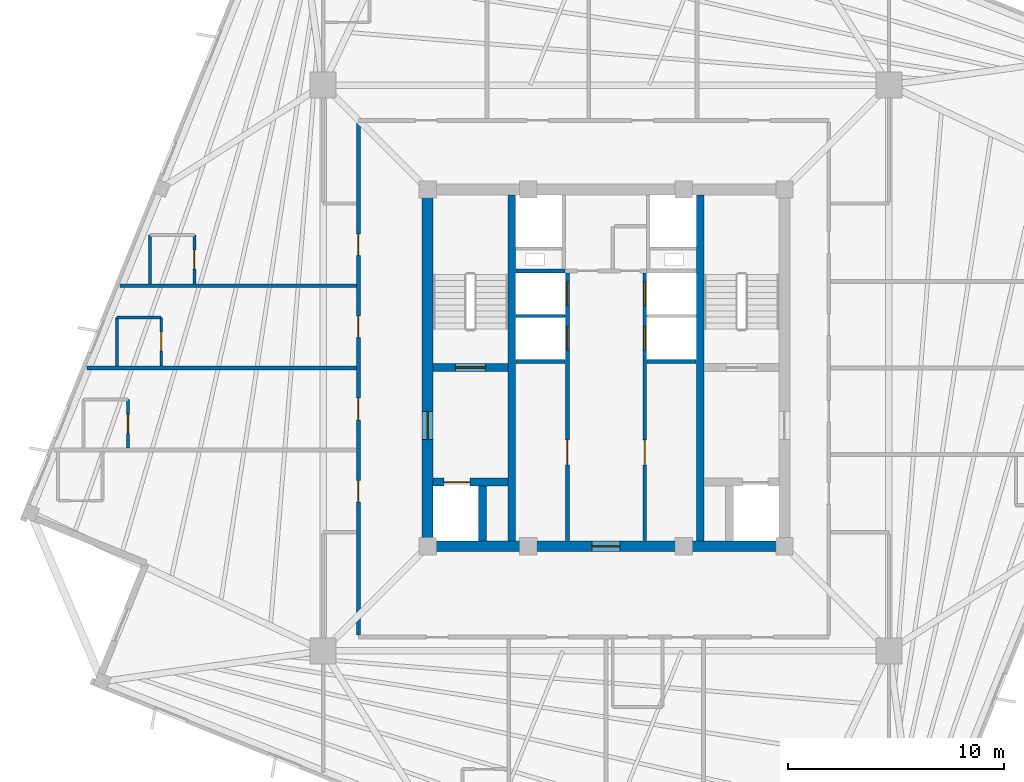
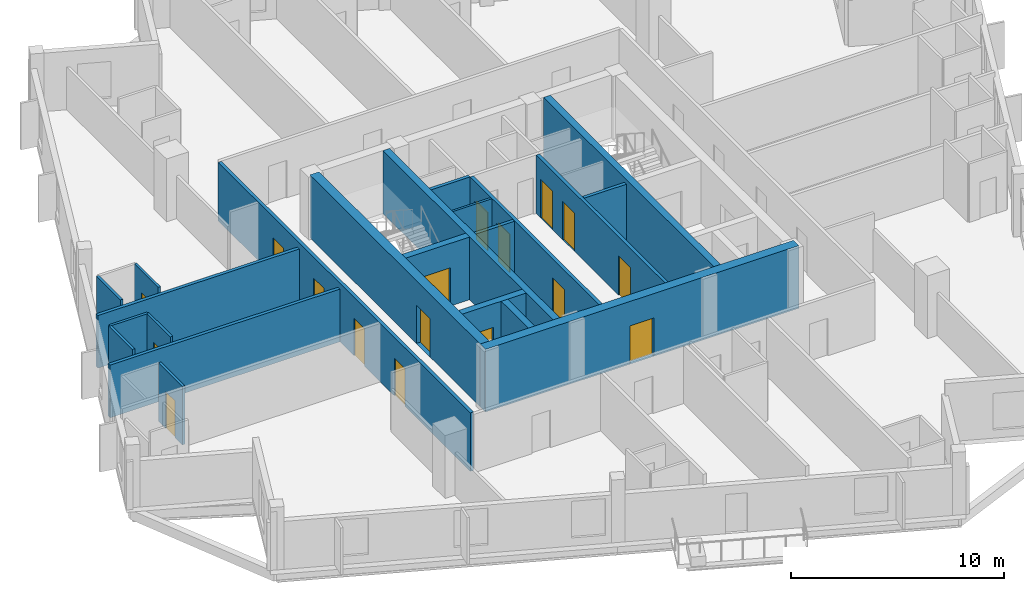
# One storey, part 3 of 9: 22 walls, 17 doors, 17 openings.
"""IFC4 building model written with IfcOpenShell, lengths in metres."""

from ifc_helpers import new_model, si_unit, direction, frame, frame_2d, origin, place, context, subcontext, project, spatial, rectangle, extrude, source, transform, mapped, material, layer, layer_set, type_object, element, fill, save


model = new_model("IFC4")

# Units and contexts
model_context = context("Model", 3, precision=1e-05, world=origin(), true_north=direction((0.0, 1.0)))
body_context = subcontext(model_context, "Body", "Model", "MODEL_VIEW")
ifc_project = project(units=[si_unit("LENGTHUNIT", "METRE"), si_unit("AREAUNIT", "SQUARE_METRE"), si_unit("VOLUMEUNIT", "CUBIC_METRE"), si_unit("PLANEANGLEUNIT", "RADIAN"), si_unit("MASSUNIT", "GRAM", prefix="KILO"), si_unit("THERMODYNAMICTEMPERATUREUNIT", "KELVIN")], contexts=[model_context])

# Site, building, storey
site_placement = place(None, origin())
site = spatial("IfcSite", under=ifc_project, at=site_placement, CompositionType="ELEMENT")
building_placement = place(site_placement, origin())
building = spatial("IfcBuilding", under=site, at=building_placement, Name="Kosmvard Interchange Tower", CompositionType="ELEMENT")
storey_placement = place(building_placement, frame((0.0, 0.0, 276.0)))
storey = spatial("IfcBuildingStorey", under=building, at=storey_placement, Name="L67", CompositionType="ELEMENT", Elevation=276.0)

# Wall, openings, doors
ifc_material_1 = material(Name="Fire-rated gypsum partition system")
ifc_layer_1 = layer(ifc_material_1, 0.179931640625, Name="Fire-rated gypsum partition system")
ifc_layer_set_1 = layer_set([ifc_layer_1], Name="Fire-rated gypsum partition system")
wall_type_1 = type_object("IfcWallType", Name="Corridor & Hotel Compartment Partition 180", PredefinedType="PARTITIONING", material=ifc_layer_set_1)
wall_1_placement = place(storey_placement, frame((-1.7900390625, -7.97998046875, 0.0), z_axis=(0.0, 0.0, 1.0), x_axis=(0.0, 1.0, 0.0)))
wall_1 = element("IfcWall", 1, at=wall_1_placement, inside=storey, type_object=wall_type_1, Name="L67 West Lift Bank Front Wall", PredefinedType="PARTITIONING", context=body_context, shape_type="SweptSolid", body=[
    extrude(rectangle(XDim=12.3798828125, YDim=0.179931640625, at=frame_2d((6.18994140625, 0.0))), origin(), (0.0, 0.0, 1.0), 3.35009765625),
])
opening_1_placement = place(wall_1_placement, frame((8.800048828125, 0.0, 0.0)))
opening_1 = element("IfcOpeningElement", 2, at=opening_1_placement, cuts=wall_1, Name="Opening LD-PL-H1-L67", PredefinedType="OPENING", context=body_context, shape_type="SweptSolid", body=[
    extrude(rectangle(XDim=1.10009765625, YDim=2.199951171875, at=frame_2d((0.550048828125, 1.10009765625))), frame((0.0, 0.10009765625, 0.0), z_axis=(0.0, -1.0, 0.0), x_axis=(1.0, 0.0, 0.0)), (0.0, 0.0, 1.0), 0.199951171875),
])
opening_2_placement = place(wall_1_placement, frame((10.860107421875, 0.0, 0.0)))
opening_2 = element("IfcOpeningElement", 3, at=opening_2_placement, cuts=wall_1, Name="Opening LD-PL-H2-L67", PredefinedType="OPENING", context=body_context, shape_type="SweptSolid", body=[
    extrude(rectangle(XDim=1.10009765625, YDim=2.199951171875, at=frame_2d((0.550048828125, 1.10009765625))), frame((0.0, 0.10009765625, 0.0), z_axis=(0.0, -1.0, 0.0), x_axis=(1.0, 0.0, 0.0)), (0.0, 0.0, 1.0), 0.199951171875),
])
opening_3_placement = place(wall_1_placement, frame((3.5, 0.0, 0.0)))
opening_3 = element("IfcOpeningElement", 4, at=opening_3_placement, cuts=wall_1, Name="Opening L67-CD1", PredefinedType="OPENING", context=body_context, shape_type="SweptSolid", body=[
    extrude(rectangle(XDim=1.14990234375, YDim=2.25, at=frame_2d((0.574951171875, 1.125))), frame((0.0, 0.10009765625, 0.0), z_axis=(0.0, -1.0, 0.0), x_axis=(1.0, 0.0, 0.0)), (0.0, 0.0, 1.0), 0.199951171875),
])
ifc_material_2 = material(Name="Painted fire-rated steel leaf", Category="steel")
door_type_1 = type_object("IfcDoorType", Name="Plant & Riser Fire Door 1150x2250 EI60", OperationType="NOTDEFINED", PredefinedType="DOOR", material=ifc_material_2)
shared_shape_1 = source(origin(), body_context, "Body", "SweptSolid", [
    extrude(rectangle(XDim=1.14990234375, YDim=2.25, at=frame_2d((0.574951171875, 1.125))), frame((0.0, 0.02490234375, 0.0), z_axis=(0.0, -1.0, 0.0), x_axis=(1.0, 0.0, 0.0)), (0.0, 0.0, 1.0), 0.050048828125),
])
door_1_placement = place(opening_3_placement, origin())
door_1 = element("IfcDoor", 5, at=door_1_placement, inside=storey, type_object=door_type_1, Name="L67 Core Facility Store Door", OperationType="SINGLE_SWING_LEFT", OverallHeight=2.25, OverallWidth=1.14990234375, PredefinedType="DOOR", context=body_context, shape_type="MappedRepresentation", body=[
    mapped(shared_shape_1, transform((0.0, 0.0, 0.0), scale=1.0)),
])
fill(opening_3, door_1)
ifc_material_3 = material(Name="Brushed stainless steel sliding leaf", Category="steel")
door_type_2 = type_object("IfcDoorType", Name="Passenger Lift Sliding Landing Door 1100x2200 EI60", OperationType="DOUBLE_DOOR_SLIDING", PredefinedType="DOOR", material=ifc_material_3)
shared_shape_2 = source(origin(), body_context, "Body", "SweptSolid", [
    extrude(rectangle(XDim=1.10009765625, YDim=2.199951171875, at=frame_2d((0.550048828125, 1.10009765625))), frame((0.0, 0.02490234375, 0.0), z_axis=(0.0, -1.0, 0.0), x_axis=(1.0, 0.0, 0.0)), (0.0, 0.0, 1.0), 0.050048828125),
])
door_2_placement = place(opening_1_placement, frame((1.10009765625, 0.0, 0.0), z_axis=(0.0, 0.0, 1.0), x_axis=(-1.0, 0.0, 0.0)))
door_2 = element("IfcDoor", 6, at=door_2_placement, inside=storey, type_object=door_type_2, Name="Lift PL-H1 Landing Door L67", OperationType="DOUBLE_DOOR_SLIDING", OverallHeight=2.199951171875, OverallWidth=1.10009765625, PredefinedType="DOOR", context=body_context, shape_type="MappedRepresentation", body=[
    mapped(shared_shape_2, transform((0.0, 0.0, 0.0), scale=1.0)),
])
fill(opening_1, door_2)
door_3_placement = place(opening_2_placement, frame((1.10009765625, 0.0, 0.0), z_axis=(0.0, 0.0, 1.0), x_axis=(-1.0, 0.0, 0.0)))
door_3 = element("IfcDoor", 7, at=door_3_placement, inside=storey, type_object=door_type_2, Name="Lift PL-H2 Landing Door L67", OperationType="DOUBLE_DOOR_SLIDING", OverallHeight=2.199951171875, OverallWidth=1.10009765625, PredefinedType="DOOR", context=body_context, shape_type="MappedRepresentation", body=[
    mapped(shared_shape_2, transform((0.0, 0.0, 0.0), scale=1.0)),
])
fill(opening_2, door_3)

wall_2_placement = place(storey_placement, frame((1.7900390625, -7.97998046875, 0.0), z_axis=(0.0, 0.0, 1.0), x_axis=(0.0, 1.0, 0.0)))
wall_2 = element("IfcWall", 8, at=wall_2_placement, inside=storey, type_object=wall_type_1, Name="L67 East Lift Bank Front Wall", PredefinedType="PARTITIONING", context=body_context, shape_type="SweptSolid", body=[
    extrude(rectangle(XDim=12.3798828125, YDim=0.179931640625, at=frame_2d((6.18994140625, 0.0))), origin(), (0.0, 0.0, 1.0), 3.35009765625),
])
opening_4_placement = place(wall_2_placement, frame((8.800048828125, 0.0, 0.0)))
opening_4 = element("IfcOpeningElement", 9, at=opening_4_placement, cuts=wall_2, Name="Opening LD-PL-H3-L67", PredefinedType="OPENING", context=body_context, shape_type="SweptSolid", body=[
    extrude(rectangle(XDim=1.10009765625, YDim=2.199951171875, at=frame_2d((0.550048828125, 1.10009765625))), frame((0.0, 0.10009765625, 0.0), z_axis=(0.0, -1.0, 0.0), x_axis=(1.0, 0.0, 0.0)), (0.0, 0.0, 1.0), 0.199951171875),
])
opening_5_placement = place(wall_2_placement, frame((10.860107421875, 0.0, 0.0)))
opening_5 = element("IfcOpeningElement", 10, at=opening_5_placement, cuts=wall_2, Name="Opening LD-PL-H4-L67", PredefinedType="OPENING", context=body_context, shape_type="SweptSolid", body=[
    extrude(rectangle(XDim=1.10009765625, YDim=2.199951171875, at=frame_2d((0.550048828125, 1.10009765625))), frame((0.0, 0.10009765625, 0.0), z_axis=(0.0, -1.0, 0.0), x_axis=(1.0, 0.0, 0.0)), (0.0, 0.0, 1.0), 0.199951171875),
])
opening_6_placement = place(wall_2_placement, frame((3.5, 0.0, 0.0)))
opening_6 = element("IfcOpeningElement", 11, at=opening_6_placement, cuts=wall_2, Name="Opening L67-CD2", PredefinedType="OPENING", context=body_context, shape_type="SweptSolid", body=[
    extrude(rectangle(XDim=1.14990234375, YDim=2.25, at=frame_2d((0.574951171875, 1.125))), frame((0.0, 0.10009765625, 0.0), z_axis=(0.0, -1.0, 0.0), x_axis=(1.0, 0.0, 0.0)), (0.0, 0.0, 1.0), 0.199951171875),
])
door_4_placement = place(opening_6_placement, frame((1.14990234375, 0.0, 0.0), z_axis=(0.0, 0.0, 1.0), x_axis=(-1.0, 0.0, 0.0)))
door_4 = element("IfcDoor", 12, at=door_4_placement, inside=storey, type_object=door_type_1, Name="L67 Core BMS UPS Door", OperationType="SINGLE_SWING_RIGHT", OverallHeight=2.25, OverallWidth=1.14990234375, PredefinedType="DOOR", context=body_context, shape_type="MappedRepresentation", body=[
    mapped(shared_shape_1, transform((0.0, 0.0, 0.0), scale=1.0)),
])
fill(opening_6, door_4)
door_5_placement = place(opening_4_placement, origin())
door_5 = element("IfcDoor", 13, at=door_5_placement, inside=storey, type_object=door_type_2, Name="Lift PL-H3 Landing Door L67", OperationType="DOUBLE_DOOR_SLIDING", OverallHeight=2.199951171875, OverallWidth=1.10009765625, PredefinedType="DOOR", context=body_context, shape_type="MappedRepresentation", body=[
    mapped(shared_shape_2, transform((0.0, 0.0, 0.0), scale=1.0)),
])
fill(opening_4, door_5)
door_6_placement = place(opening_5_placement, origin())
door_6 = element("IfcDoor", 14, at=door_6_placement, inside=storey, type_object=door_type_2, Name="Lift PL-H4 Landing Door L67", OperationType="DOUBLE_DOOR_SLIDING", OverallHeight=2.199951171875, OverallWidth=1.10009765625, PredefinedType="DOOR", context=body_context, shape_type="MappedRepresentation", body=[
    mapped(shared_shape_2, transform((0.0, 0.0, 0.0), scale=1.0)),
])
fill(opening_5, door_6)

wall_3_placement = place(storey_placement, frame((-11.449951171875, -12.35009765625, 0.0), z_axis=(0.0, 0.0, 1.0), x_axis=(0.0, 1.0, 0.0)))
wall_3 = element("IfcWall", 15, at=wall_3_placement, inside=storey, type_object=wall_type_1, Name="L67 Corridor Wall CW", PredefinedType="PARTITIONING", context=body_context, shape_type="SweptSolid", body=[
    extrude(rectangle(XDim=23.7001953125, YDim=0.179931640625, at=frame_2d((11.85009765625, 0.0))), origin(), (0.0, 0.0, 1.0), 3.35009765625),
])
opening_7_placement = place(wall_3_placement, frame((13.75, 0.0, 0.0)))
opening_7 = element("IfcOpeningElement", 16, at=opening_7_placement, cuts=wall_3, Name="Opening L67-D02", PredefinedType="OPENING", context=body_context, shape_type="SweptSolid", body=[
    extrude(rectangle(XDim=1.0, YDim=2.14990234375, at=frame_2d((0.5, 1.074951171875))), frame((0.0, 0.10009765625, 0.0), z_axis=(0.0, -1.0, 0.0), x_axis=(1.0, 0.0, 0.0)), (0.0, 0.0, 1.0), 0.199951171875),
])
opening_8_placement = place(wall_3_placement, frame((17.550048828125, 0.0, 0.0)))
opening_8 = element("IfcOpeningElement", 17, at=opening_8_placement, cuts=wall_3, Name="Opening L67-D04", PredefinedType="OPENING", context=body_context, shape_type="SweptSolid", body=[
    extrude(rectangle(XDim=1.0, YDim=2.14990234375, at=frame_2d((0.5, 1.074951171875))), frame((0.0, 0.10009765625, 0.0), z_axis=(0.0, -1.0, 0.0), x_axis=(1.0, 0.0, 0.0)), (0.0, 0.0, 1.0), 0.199951171875),
])
opening_9_placement = place(wall_3_placement, frame((6.14990234375, 0.0, 0.0)))
opening_9 = element("IfcOpeningElement", 18, at=opening_9_placement, cuts=wall_3, Name="Opening L67-D28", PredefinedType="OPENING", context=body_context, shape_type="SweptSolid", body=[
    extrude(rectangle(XDim=1.0, YDim=2.14990234375, at=frame_2d((0.5, 1.074951171875))), frame((0.0, 0.10009765625, 0.0), z_axis=(0.0, -1.0, 0.0), x_axis=(1.0, 0.0, 0.0)), (0.0, 0.0, 1.0), 0.199951171875),
])
opening_10_placement = place(wall_3_placement, frame((9.949951171875, 0.0, 0.0)))
opening_10 = element("IfcOpeningElement", 19, at=opening_10_placement, cuts=wall_3, Name="Opening L67-D30", PredefinedType="OPENING", context=body_context, shape_type="SweptSolid", body=[
    extrude(rectangle(XDim=1.0, YDim=2.14990234375, at=frame_2d((0.5, 1.074951171875))), frame((0.0, 0.10009765625, 0.0), z_axis=(0.0, -1.0, 0.0), x_axis=(1.0, 0.0, 0.0)), (0.0, 0.0, 1.0), 0.199951171875),
])
ifc_material_4 = material(Name="Engineered oak fire-rated timber", Category="wood")
door_type_3 = type_object("IfcDoorType", Name="Hotel Guestroom Entrance Door 1000x2150 EI60", OperationType="NOTDEFINED", PredefinedType="DOOR", material=ifc_material_4)
shared_shape_3 = source(origin(), body_context, "Body", "SweptSolid", [
    extrude(rectangle(XDim=1.0, YDim=2.14990234375, at=frame_2d((0.5, 1.074951171875))), frame((0.0, 0.02490234375, 0.0), z_axis=(0.0, -1.0, 0.0), x_axis=(1.0, 0.0, 0.0)), (0.0, 0.0, 1.0), 0.050048828125),
])
door_7_placement = place(opening_7_placement, origin())
door_7 = element("IfcDoor", 20, at=door_7_placement, inside=storey, type_object=door_type_3, Name="L67 Hotel Standard Guest Room 1 Door", OperationType="SINGLE_SWING_RIGHT", OverallHeight=2.14990234375, OverallWidth=1.0, PredefinedType="DOOR", context=body_context, shape_type="MappedRepresentation", body=[
    mapped(shared_shape_3, transform((0.0, 0.0, 0.0), scale=1.0)),
])
fill(opening_7, door_7)
door_8_placement = place(opening_8_placement, origin())
door_8 = element("IfcDoor", 21, at=door_8_placement, inside=storey, type_object=door_type_3, Name="L67 Hotel Standard Junior Suite 2 Door", OperationType="SINGLE_SWING_RIGHT", OverallHeight=2.14990234375, OverallWidth=1.0, PredefinedType="DOOR", context=body_context, shape_type="MappedRepresentation", body=[
    mapped(shared_shape_3, transform((0.0, 0.0, 0.0), scale=1.0)),
])
fill(opening_8, door_8)
door_9_placement = place(opening_9_placement, origin())
door_9 = element("IfcDoor", 22, at=door_9_placement, inside=storey, type_object=door_type_3, Name="L67 Hotel Corner Suite 4 Door", OperationType="SINGLE_SWING_RIGHT", OverallHeight=2.14990234375, OverallWidth=1.0, PredefinedType="DOOR", context=body_context, shape_type="MappedRepresentation", body=[
    mapped(shared_shape_3, transform((0.0, 0.0, 0.0), scale=1.0)),
])
fill(opening_9, door_9)
door_10_placement = place(opening_10_placement, origin())
door_10 = element("IfcDoor", 23, at=door_10_placement, inside=storey, type_object=door_type_3, Name="L67 Hotel King Guest Room 10 Door", OperationType="SINGLE_SWING_RIGHT", OverallHeight=2.14990234375, OverallWidth=1.0, PredefinedType="DOOR", context=body_context, shape_type="MappedRepresentation", body=[
    mapped(shared_shape_3, transform((0.0, 0.0, 0.0), scale=1.0)),
])
fill(opening_10, door_10)

# Walls
wall_4_placement = place(storey_placement, frame((-11.544921875, 0.0, 0.0), z_axis=(0.0, 0.0, 1.0), x_axis=(-1.0, 0.0, 0.0)))
element("IfcWall", 24, at=wall_4_placement, inside=storey, type_object=wall_type_1, Name="L67 Room Partition 11.1", PredefinedType="PARTITIONING", context=body_context, shape_type="SweptSolid", body=[
    extrude(rectangle(XDim=12.457763671875, YDim=0.179931640625, at=frame_2d((6.22900390625, 0.0))), origin(), (0.0, 0.0, 1.0), 3.02001953125),
])
wall_5_placement = place(storey_placement, frame((-11.544921875, 3.800048828125, 0.0), z_axis=(0.0, 0.0, 1.0), x_axis=(-1.0, 0.0, 0.0)))
element("IfcWall", 25, at=wall_5_placement, inside=storey, type_object=wall_type_1, Name="L67 Room Partition 12.1", PredefinedType="PARTITIONING", context=body_context, shape_type="SweptSolid", body=[
    extrude(rectangle(XDim=10.922607421875, YDim=0.179931640625, at=frame_2d((5.46142578125, 0.0))), origin(), (0.0, 0.0, 1.0), 3.02001953125),
])
ifc_material_5 = material(Name="Concrete blockwork masonry", Category="masonry")
ifc_layer_2 = layer(ifc_material_5, 0.179931640625, Name="Concrete blockwork masonry")
ifc_layer_set_2 = layer_set([ifc_layer_2], Name="Concrete blockwork masonry")
wall_type_2 = type_object("IfcWallType", Name="Riser & Lift Bank Divider Wall 180", PredefinedType="PARTITIONING", material=ifc_layer_set_2)
for number, where, z_axis, x_axis, name in (
    (26, (-4.169921875, 0.300048828125, 0.0), (0.0, 0.0, 1.0), (1.0, 0.0, 0.0), "L67 West Bank Divider BD2"),
    (27, (1.889892578125, 0.300048828125, 0.0), (0.0, 0.0, 1.0), (1.0, 0.0, 0.0), "L67 East Bank Divider BD2"),
    (28, (-4.169921875, 4.489990234375, 0.0), (0.0, 0.0, 1.0), (1.0, 0.0, 0.0), "L67 West Bank Divider BD3"),
):
    element("IfcWall", number, at=place(storey_placement, frame(where, z_axis=z_axis, x_axis=x_axis)), inside=storey, type_object=wall_type_2, Name=name, PredefinedType="PARTITIONING", context=body_context, shape_type="SweptSolid", body=[
        extrude(rectangle(XDim=2.280029296875, YDim=0.179931640625, at=frame_2d((1.14013671875, 0.0))), origin(), (0.0, 0.0, 1.0), 3.35009765625),
    ])
ifc_material_6 = material(Name="Fire-rated gypsum shaftwall system")
ifc_layer_3 = layer(ifc_material_6, 0.1201171875, Name="Fire-rated gypsum shaftwall system")
ifc_layer_set_3 = layer_set([ifc_layer_3], Name="Fire-rated gypsum shaftwall system")
wall_type_3 = type_object("IfcWallType", Name="Shaft & Riser Fire Partition 120 EI60", PredefinedType="PARTITIONING", material=ifc_layer_set_3)
wall_6_placement = place(storey_placement, frame((-4.159912109375, 2.39990234375, 0.0), z_axis=(0.0, 0.0, 1.0), x_axis=(1.0, 0.0, 0.0)))
element("IfcWall", 29, at=wall_6_placement, inside=storey, type_object=wall_type_3, Name="L67 Shaft Divider PL-H1", PredefinedType="PARTITIONING", context=body_context, shape_type="SweptSolid", body=[
    extrude(rectangle(XDim=2.260009765625, YDim=0.1201171875, at=frame_2d((1.1298828125, 0.0))), origin(), (0.0, 0.0, 1.0), 3.35009765625),
])
ifc_material_7 = material(Name="Concrete C60/75", Category="concrete")
ifc_layer_4 = layer(ifc_material_7, 0.360107421875, Name="Concrete C60/75")
ifc_layer_set_4 = layer_set([ifc_layer_4], Name="Concrete C60/75")
wall_type_4 = type_object("IfcWallType", Name="Stair & Lift Shaft Shear Wall 360 C60/75", PredefinedType="SHEAR", material=ifc_layer_set_4)
for number, where, z_axis, x_axis, name in (
    (30, (-4.360107421875, -8.0, 0.0), (0.0, 0.0, 1.0), (0.0, 1.0, 0.0), "L67 Shaft Shear Wall SW-W"),
    (31, (4.360107421875, -8.0, 0.0), (0.0, 0.0, 1.0), (0.0, 1.0, 0.0), "L67 Shaft Shear Wall SW-E"),
):
    element("IfcWall", number, at=place(storey_placement, frame(where, z_axis=z_axis, x_axis=x_axis)), inside=storey, type_object=wall_type_4, Name=name, PredefinedType="SHEAR", context=body_context, shape_type="SweptSolid", body=[
        extrude(rectangle(XDim=16.0, YDim=0.360107421875, at=frame_2d((8.0, 0.0))), origin(), (0.0, 0.0, 1.0), 3.60009765625),
    ])

# Wall, opening, door
wall_7_placement = place(storey_placement, frame((-8.0, 0.02001953125, 0.0), z_axis=(0.0, 0.0, 1.0), x_axis=(1.0, 0.0, 0.0)))
wall_7 = element("IfcWall", 32, at=wall_7_placement, inside=storey, type_object=wall_type_4, Name="L67 Shaft Shear Wall SW-ST1", PredefinedType="SHEAR", context=body_context, shape_type="SweptSolid", body=[
    extrude(rectangle(XDim=3.4599609375, YDim=0.360107421875, at=frame_2d((1.72998046875, 0.0))), origin(), (0.0, 0.0, 1.0), 3.60009765625),
])
opening_11_placement = place(wall_7_placement, frame((1.030029296875, 0.0, 0.0)))
opening_11 = element("IfcOpeningElement", 33, at=opening_11_placement, cuts=wall_7, Name="Opening L67-SD1", PredefinedType="OPENING", context=body_context, shape_type="SweptSolid", body=[
    extrude(rectangle(XDim=1.39990234375, YDim=2.199951171875, at=frame_2d((0.699951171875, 1.10009765625))), frame((0.0, 0.18994140625, 0.0), z_axis=(0.0, -1.0, 0.0), x_axis=(1.0, 0.0, 0.0)), (0.0, 0.0, 1.0), 0.380126953125),
])
door_type_4 = type_object("IfcDoorType", Name="Protected Stair Door 1400x2200 FD60S", OperationType="NOTDEFINED", PredefinedType="DOOR", material=ifc_material_2)
shared_shape_4 = source(origin(), body_context, "Body", "SweptSolid", [
    extrude(rectangle(XDim=1.39990234375, YDim=2.199951171875, at=frame_2d((0.699951171875, 1.10009765625))), frame((0.0, 0.02490234375, 0.0), z_axis=(0.0, -1.0, 0.0), x_axis=(1.0, 0.0, 0.0)), (0.0, 0.0, 1.0), 0.050048828125),
])
door_11_placement = place(opening_11_placement, origin())
door_11 = element("IfcDoor", 34, at=door_11_placement, inside=storey, type_object=door_type_4, Name="L67 Stair ST-1 Enclosure Door", OperationType="SINGLE_SWING_LEFT", OverallHeight=2.199951171875, OverallWidth=1.39990234375, PredefinedType="DOOR", context=body_context, shape_type="MappedRepresentation", body=[
    mapped(shared_shape_4, transform((0.0, 0.0, 0.0), scale=1.0)),
])
fill(opening_11, door_11)

wall_8_placement = place(storey_placement, frame((-8.0, -5.280029296875, 0.0), z_axis=(0.0, 0.0, 1.0), x_axis=(1.0, 0.0, 0.0)))
wall_8 = element("IfcWall", 35, at=wall_8_placement, inside=storey, type_object=wall_type_4, Name="L67 Shaft Shear Wall SW-FF1", PredefinedType="SHEAR", context=body_context, shape_type="SweptSolid", body=[
    extrude(rectangle(XDim=3.4599609375, YDim=0.360107421875, at=frame_2d((1.72998046875, 0.0))), origin(), (0.0, 0.0, 1.0), 3.60009765625),
])
opening_12_placement = place(wall_8_placement, frame((0.5, 0.0, 0.0)))
opening_12 = element("IfcOpeningElement", 36, at=opening_12_placement, cuts=wall_8, Name="Opening LD-FF-1-L67", PredefinedType="OPENING", context=body_context, shape_type="SweptSolid", body=[
    extrude(rectangle(XDim=1.199951171875, YDim=2.25, at=frame_2d((0.60009765625, 1.125))), frame((0.0, 0.18994140625, 0.0), z_axis=(0.0, -1.0, 0.0), x_axis=(1.0, 0.0, 0.0)), (0.0, 0.0, 1.0), 0.380126953125),
])
door_type_5 = type_object("IfcDoorType", Name="Firefighting Lift Sliding Landing Door 1200x2250 EI120", OperationType="DOUBLE_DOOR_SLIDING", PredefinedType="DOOR", material=ifc_material_3)
shared_shape_5 = source(origin(), body_context, "Body", "SweptSolid", [
    extrude(rectangle(XDim=1.199951171875, YDim=2.25, at=frame_2d((0.60009765625, 1.125))), frame((0.0, 0.02490234375, 0.0), z_axis=(0.0, -1.0, 0.0), x_axis=(1.0, 0.0, 0.0)), (0.0, 0.0, 1.0), 0.050048828125),
])
door_12_placement = place(opening_12_placement, origin())
door_12 = element("IfcDoor", 37, at=door_12_placement, inside=storey, type_object=door_type_5, Name="Lift FF-1 Landing Door L67", OperationType="DOUBLE_DOOR_SLIDING", OverallHeight=2.25, OverallWidth=1.199951171875, PredefinedType="DOOR", context=body_context, shape_type="MappedRepresentation", body=[
    mapped(shared_shape_5, transform((0.0, 0.0, 0.0), scale=1.0)),
])
fill(opening_12, door_12)

# Wall
wall_9_placement = place(storey_placement, frame((-5.7099609375, -8.0, 0.0), z_axis=(0.0, 0.0, 1.0), x_axis=(0.0, 1.0, 0.0)))
element("IfcWall", 38, at=wall_9_placement, inside=storey, type_object=wall_type_4, Name="L67 Shaft Shear Wall SW-SM1", PredefinedType="SHEAR", context=body_context, shape_type="SweptSolid", body=[
    extrude(rectangle(XDim=2.5400390625, YDim=0.360107421875, at=frame_2d((1.27001953125, 0.0))), origin(), (0.0, 0.0, 1.0), 3.60009765625),
])

# Wall, opening, door
ifc_layer_5 = layer(ifc_material_7, 0.5, Name="Concrete C60/75")
ifc_layer_set_5 = layer_set([ifc_layer_5], Name="Concrete C60/75")
wall_type_5 = type_object("IfcWallType", Name="Upper Core Shear Wall 500 C60/75", PredefinedType="SHEAR", material=ifc_layer_set_5)
wall_10_placement = place(storey_placement, frame((-8.5, -8.25, 0.0), z_axis=(0.0, 0.0, 1.0), x_axis=(1.0, 0.0, 0.0)))
wall_10 = element("IfcWall", 39, at=wall_10_placement, inside=storey, type_object=wall_type_5, Name="L67 Core Shear Wall CW-S", PredefinedType="SHEAR", context=body_context, shape_type="SweptSolid", body=[
    extrude(rectangle(XDim=17.0, YDim=0.5, at=frame_2d((8.5, 0.0))), origin(), (0.0, 0.0, 1.0), 3.60009765625),
])
opening_13_placement = place(wall_10_placement, frame((7.85009765625, 0.0, 0.0)))
opening_13 = element("IfcOpeningElement", 40, at=opening_13_placement, cuts=wall_10, Name="Opening L67-LD0", PredefinedType="OPENING", context=body_context, shape_type="SweptSolid", body=[
    extrude(rectangle(XDim=1.300048828125, YDim=2.199951171875, at=frame_2d((0.64990234375, 1.10009765625))), frame((0.0, 0.260009765625, 0.0), z_axis=(0.0, -1.0, 0.0), x_axis=(1.0, 0.0, 0.0)), (0.0, 0.0, 1.0), 0.52001953125),
])
door_type_6 = type_object("IfcDoorType", Name="Firefighting Lobby Door 1300x2200 EI60", OperationType="NOTDEFINED", PredefinedType="DOOR", material=ifc_material_2)
shared_shape_6 = source(origin(), body_context, "Body", "SweptSolid", [
    extrude(rectangle(XDim=1.300048828125, YDim=2.199951171875, at=frame_2d((0.64990234375, 1.10009765625))), frame((0.0, 0.02490234375, 0.0), z_axis=(0.0, -1.0, 0.0), x_axis=(1.0, 0.0, 0.0)), (0.0, 0.0, 1.0), 0.050048828125),
])
door_13_placement = place(opening_13_placement, frame((1.300048828125, 0.0, 0.0), z_axis=(0.0, 0.0, 1.0), x_axis=(-1.0, 0.0, 0.0)))
door_13 = element("IfcDoor", 41, at=door_13_placement, inside=storey, type_object=door_type_6, Name="L67 Passenger Lift Lobby South Door", OperationType="SINGLE_SWING_RIGHT", OverallHeight=2.199951171875, OverallWidth=1.300048828125, PredefinedType="DOOR", context=body_context, shape_type="MappedRepresentation", body=[
    mapped(shared_shape_6, transform((0.0, 0.0, 0.0), scale=1.0)),
])
fill(opening_13, door_13)

wall_11_placement = place(storey_placement, frame((-8.25, -8.0, 0.0), z_axis=(0.0, 0.0, 1.0), x_axis=(0.0, 1.0, 0.0)))
wall_11 = element("IfcWall", 42, at=wall_11_placement, inside=storey, type_object=wall_type_5, Name="L67 Core Shear Wall CW-W", PredefinedType="SHEAR", context=body_context, shape_type="SweptSolid", body=[
    extrude(rectangle(XDim=16.0, YDim=0.5, at=frame_2d((8.0, 0.0))), origin(), (0.0, 0.0, 1.0), 3.60009765625),
])
opening_14_placement = place(wall_11_placement, frame((4.68994140625, 0.0, 0.0)))
opening_14 = element("IfcOpeningElement", 43, at=opening_14_placement, cuts=wall_11, Name="Opening L67-FD1", PredefinedType="OPENING", context=body_context, shape_type="SweptSolid", body=[
    extrude(rectangle(XDim=1.300048828125, YDim=2.199951171875, at=frame_2d((0.64990234375, 1.10009765625))), frame((0.0, 0.260009765625, 0.0), z_axis=(0.0, -1.0, 0.0), x_axis=(1.0, 0.0, 0.0)), (0.0, 0.0, 1.0), 0.52001953125),
])
door_14_placement = place(opening_14_placement, frame((1.300048828125, 0.0, 0.0), z_axis=(0.0, 0.0, 1.0), x_axis=(-1.0, 0.0, 0.0)))
door_14 = element("IfcDoor", 44, at=door_14_placement, inside=storey, type_object=door_type_6, Name="L67 Firefighting Lobby West Door", OperationType="SINGLE_SWING_LEFT", OverallHeight=2.199951171875, OverallWidth=1.300048828125, PredefinedType="DOOR", context=body_context, shape_type="MappedRepresentation", body=[
    mapped(shared_shape_6, transform((0.0, 0.0, 0.0), scale=1.0)),
])
fill(opening_14, door_14)

ifc_material_8 = material(Name="Moisture-resistant gypsum partition")
ifc_layer_6 = layer(ifc_material_8, 0.135009765625, Name="Moisture-resistant gypsum partition")
ifc_layer_set_6 = layer_set([ifc_layer_6], Name="Moisture-resistant gypsum partition")
wall_type_6 = type_object("IfcWallType", Name="Wet Room Moisture-Resistant Partition 135", PredefinedType="PARTITIONING", material=ifc_layer_set_6)
wall_12_placement = place(storey_placement, frame((-20.569580078125, 0.090087890625, 0.0), z_axis=(0.0, 0.0, 1.0), x_axis=(0.0, 1.0, 0.0)))
wall_12 = element("IfcWall", 45, at=wall_12_placement, inside=storey, type_object=wall_type_6, Name="L67 En-Suite Partition HGR1-E", PredefinedType="PARTITIONING", context=body_context, shape_type="SweptSolid", body=[
    extrude(rectangle(XDim=2.25, YDim=0.135009765625, at=frame_2d((1.125, 0.0))), origin(), (0.0, 0.0, 1.0), 3.35009765625),
])
opening_15_placement = place(wall_12_placement, frame((0.68505859375, 0.0, 0.0)))
opening_15 = element("IfcOpeningElement", 46, at=opening_15_placement, cuts=wall_12, Name="Opening L67-ED03", PredefinedType="OPENING", context=body_context, shape_type="SweptSolid", body=[
    extrude(rectangle(XDim=0.8798828125, YDim=2.10009765625, at=frame_2d((0.43994140625, 1.050048828125))), frame((0.0, 0.07763671875, 0.0), z_axis=(0.0, -1.0, 0.0), x_axis=(1.0, 0.0, 0.0)), (0.0, 0.0, 1.0), 0.155029296875),
])
ifc_material_9 = material(Name="Laminated moisture-resistant timber", Category="wood")
door_type_7 = type_object("IfcDoorType", Name="En-Suite & Washroom Door 880x2100", OperationType="NOTDEFINED", PredefinedType="DOOR", material=ifc_material_9)
shared_shape_7 = source(origin(), body_context, "Body", "SweptSolid", [
    extrude(rectangle(XDim=0.8798828125, YDim=2.10009765625, at=frame_2d((0.43994140625, 1.050048828125))), frame((0.0, 0.02490234375, 0.0), z_axis=(0.0, -1.0, 0.0), x_axis=(1.0, 0.0, 0.0)), (0.0, 0.0, 1.0), 0.050048828125),
])
door_15_placement = place(opening_15_placement, origin())
door_15 = element("IfcDoor", 47, at=door_15_placement, inside=storey, type_object=door_type_7, Name="L67 HGR1 En-Suite Door", OperationType="SINGLE_SWING_RIGHT", OverallHeight=2.10009765625, OverallWidth=0.8798828125, PredefinedType="DOOR", context=body_context, shape_type="MappedRepresentation", body=[
    mapped(shared_shape_7, transform((0.0, 0.0, 0.0), scale=1.0)),
])
fill(opening_15, door_15)

# Walls
wall_13_placement = place(storey_placement, frame((-22.619384765625, 2.340087890625, 0.0), z_axis=(0.0, 0.0, 1.0), x_axis=(1.0, 0.0, 0.0)))
element("IfcWall", 48, at=wall_13_placement, inside=storey, type_object=wall_type_6, Name="L67 En-Suite Partition HGR1-N", PredefinedType="PARTITIONING", context=body_context, shape_type="SweptSolid", body=[
    extrude(rectangle(XDim=2.0498046875, YDim=0.135009765625, at=frame_2d((1.02490234375, 0.0))), origin(), (0.0, 0.0, 1.0), 3.35009765625),
])
wall_14_placement = place(storey_placement, frame((-22.619384765625, 0.090087890625, 0.0), z_axis=(0.0, 0.0, 1.0), x_axis=(0.0, 1.0, 0.0)))
element("IfcWall", 49, at=wall_14_placement, inside=storey, type_object=wall_type_6, Name="L67 En-Suite Partition HGR1-W", PredefinedType="PARTITIONING", context=body_context, shape_type="SweptSolid", body=[
    extrude(rectangle(XDim=2.25, YDim=0.135009765625, at=frame_2d((1.125, 0.0))), origin(), (0.0, 0.0, 1.0), 3.35009765625),
])

# Wall, opening, door
wall_15_placement = place(storey_placement, frame((-19.0341796875, 3.889892578125, 0.0), z_axis=(0.0, 0.0, 1.0), x_axis=(0.0, 1.0, 0.0)))
wall_15 = element("IfcWall", 50, at=wall_15_placement, inside=storey, type_object=wall_type_6, Name="L67 En-Suite Partition HGR2-E", PredefinedType="PARTITIONING", context=body_context, shape_type="SweptSolid", body=[
    extrude(rectangle(XDim=2.25, YDim=0.135009765625, at=frame_2d((1.125, 0.0))), origin(), (0.0, 0.0, 1.0), 3.35009765625),
])
opening_16_placement = place(wall_15_placement, frame((0.68505859375, 0.0, 0.0)))
opening_16 = element("IfcOpeningElement", 51, at=opening_16_placement, cuts=wall_15, Name="Opening L67-ED05", PredefinedType="OPENING", context=body_context, shape_type="SweptSolid", body=[
    extrude(rectangle(XDim=0.8798828125, YDim=2.10009765625, at=frame_2d((0.43994140625, 1.050048828125))), frame((0.0, 0.07763671875, 0.0), z_axis=(0.0, -1.0, 0.0), x_axis=(1.0, 0.0, 0.0)), (0.0, 0.0, 1.0), 0.155029296875),
])
door_16_placement = place(opening_16_placement, origin())
door_16 = element("IfcDoor", 52, at=door_16_placement, inside=storey, type_object=door_type_7, Name="L67 HGR2 En-Suite Door", OperationType="SINGLE_SWING_RIGHT", OverallHeight=2.10009765625, OverallWidth=0.8798828125, PredefinedType="DOOR", context=body_context, shape_type="MappedRepresentation", body=[
    mapped(shared_shape_7, transform((0.0, 0.0, 0.0), scale=1.0)),
])
fill(opening_16, door_16)

# Wall
wall_16_placement = place(storey_placement, frame((-21.084228515625, 3.889892578125, 0.0), z_axis=(0.0, 0.0, 1.0), x_axis=(0.0, 1.0, 0.0)))
element("IfcWall", 53, at=wall_16_placement, inside=storey, type_object=wall_type_6, Name="L67 En-Suite Partition HGR2-W", PredefinedType="PARTITIONING", context=body_context, shape_type="SweptSolid", body=[
    extrude(rectangle(XDim=2.25, YDim=0.135009765625, at=frame_2d((1.125, 0.0))), origin(), (0.0, 0.0, 1.0), 3.35009765625),
])

# Wall, opening, door
wall_17_placement = place(storey_placement, frame((-22.104736328125, -3.7099609375, 0.0), z_axis=(0.0, 0.0, 1.0), x_axis=(0.0, 1.0, 0.0)))
wall_17 = element("IfcWall", 54, at=wall_17_placement, inside=storey, type_object=wall_type_6, Name="L67 En-Suite Partition HGR0-E", PredefinedType="PARTITIONING", context=body_context, shape_type="SweptSolid", body=[
    extrude(rectangle(XDim=2.25, YDim=0.135009765625, at=frame_2d((1.125, 0.0))), origin(), (0.0, 0.0, 1.0), 3.35009765625),
])
opening_17_placement = place(wall_17_placement, frame((0.68505859375, 0.0, 0.0)))
opening_17 = element("IfcOpeningElement", 55, at=opening_17_placement, cuts=wall_17, Name="Opening L67-ED31", PredefinedType="OPENING", context=body_context, shape_type="SweptSolid", body=[
    extrude(rectangle(XDim=0.8798828125, YDim=2.10009765625, at=frame_2d((0.43994140625, 1.050048828125))), frame((0.0, 0.07763671875, 0.0), z_axis=(0.0, -1.0, 0.0), x_axis=(1.0, 0.0, 0.0)), (0.0, 0.0, 1.0), 0.155029296875),
])
door_17_placement = place(opening_17_placement, origin())
door_17 = element("IfcDoor", 56, at=door_17_placement, inside=storey, type_object=door_type_7, Name="L67 HGR0 En-Suite Door", OperationType="SINGLE_SWING_RIGHT", OverallHeight=2.10009765625, OverallWidth=0.8798828125, PredefinedType="DOOR", context=body_context, shape_type="MappedRepresentation", body=[
    mapped(shared_shape_7, transform((0.0, 0.0, 0.0), scale=1.0)),
])
fill(opening_17, door_17)

save(model, "model.ifc")
